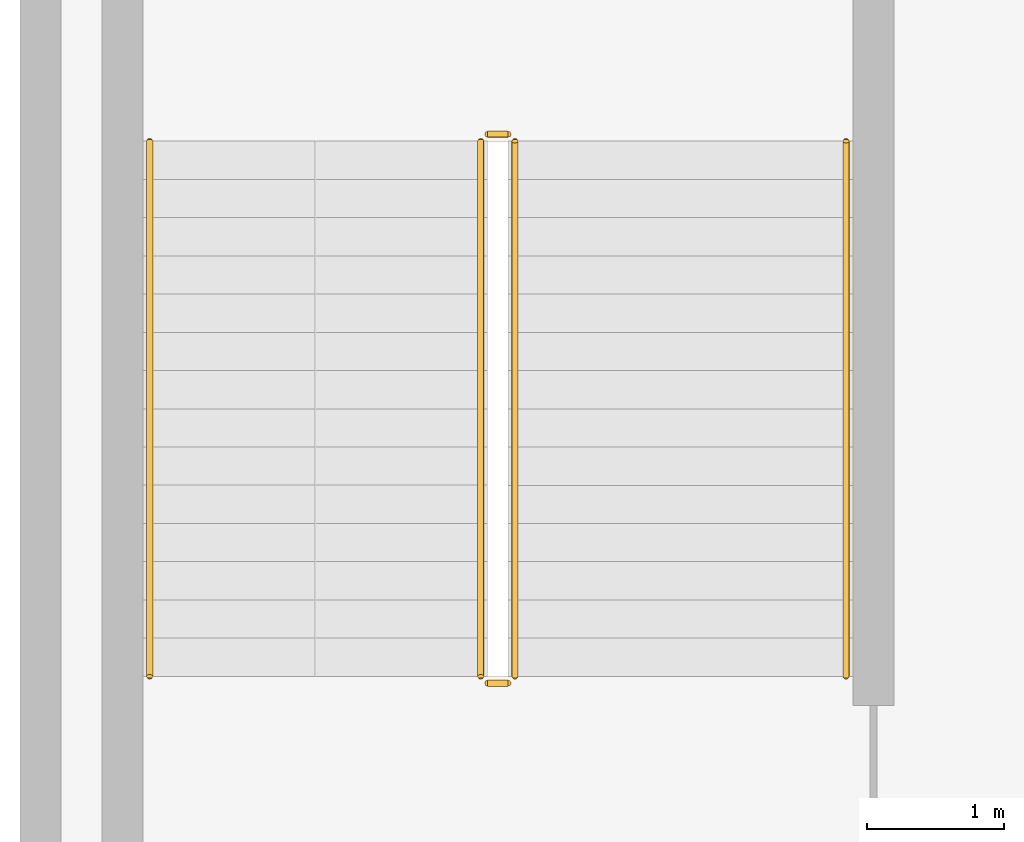
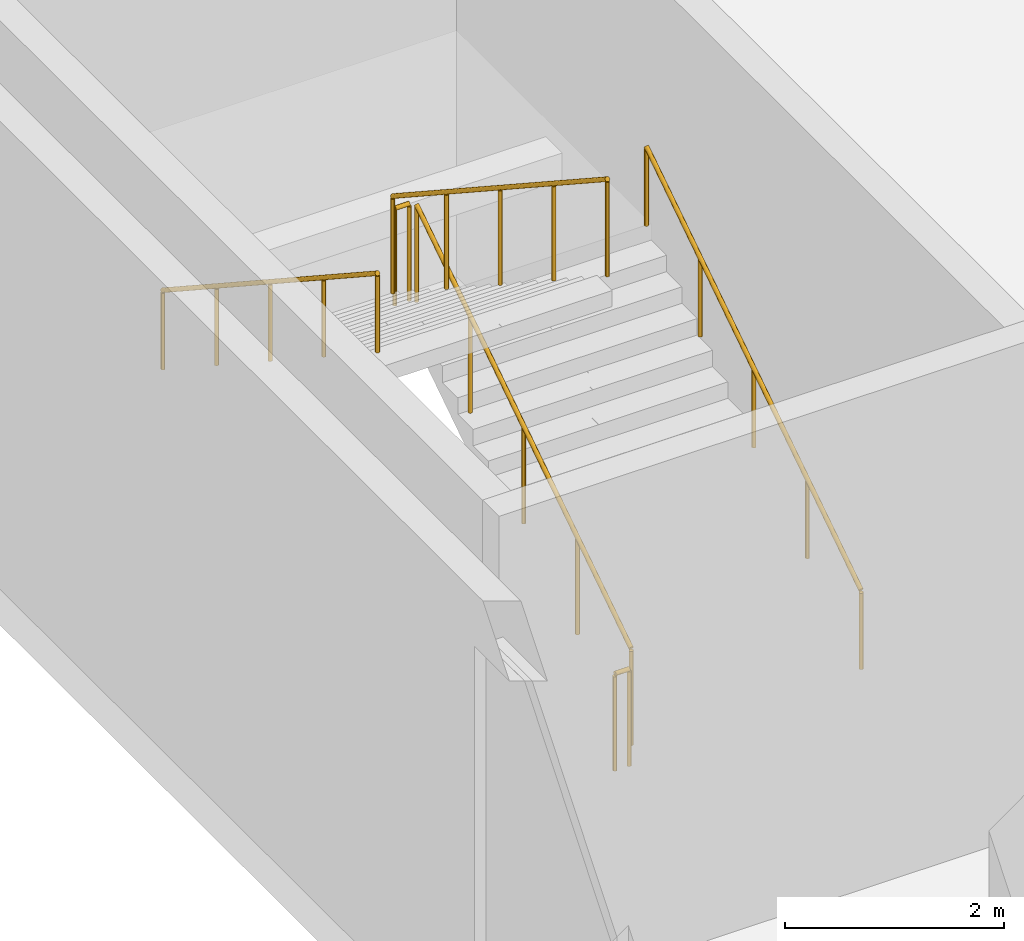
# One storey, part 20 of 26: 6 railings.
"""IFC4 building model written with IfcOpenShell, lengths in metres."""

from ifc_helpers import new_model, si_unit, direction, frame, origin, origin_2d, place, context, subcontext, project, spatial, circle, extrude, material, type_object, element, save


model = new_model("IFC4")

# Units and contexts
model_context = context("Model", 3, precision=1e-05, world=origin(), true_north=direction((0.0, 1.0)))
body_context = subcontext(model_context, "Body", "Model", "MODEL_VIEW")
ifc_project = project(units=[si_unit("LENGTHUNIT", "METRE"), si_unit("AREAUNIT", "SQUARE_METRE"), si_unit("VOLUMEUNIT", "CUBIC_METRE"), si_unit("PLANEANGLEUNIT", "RADIAN"), si_unit("MASSUNIT", "GRAM", prefix="KILO")], contexts=[model_context])

# Site, building, storey
site_placement = place(None, origin())
site = spatial("IfcSite", under=ifc_project, at=site_placement, CompositionType="ELEMENT")
building_placement = place(site_placement, origin())
building = spatial("IfcBuilding", under=site, at=building_placement, Name="Tel Ilan Convention Tower", CompositionType="ELEMENT")
storey_placement = place(building_placement, frame((0.0, 0.0, 37.5)))
storey = spatial("IfcBuildingStorey", under=building, at=storey_placement, Name="L05", CompositionType="ELEMENT", Elevation=37.5)

# Railings
ifc_material_1 = material(Name="Stainless Steel Grade 316", Category="steel")
railing_type_1 = type_object("IfcRailingType", Name="Stainless Steel Stair Guard 1100 mm", PredefinedType="GUARDRAIL", material=ifc_material_1)
railing_1_placement = place(storey_placement, frame((-46.375, -40.47509765625, 0.183349609375)))
element("IfcRailing", 1, at=railing_1_placement, inside=storey, type_object=railing_type_1, Name="L05 P7 stair guard 1", PredefinedType="GUARDRAIL", context=body_context, shape_type="SweptSolid", body=[
    extrude(circle(Radius=0.02392578125, at=origin_2d()), frame((0.0, 0.0, 1.076171875), z_axis=(0.0, 0.836630751959, 0.54776727255), x_axis=(-1.0, 0.0, 0.0)), (0.0, 0.0, 1.0), 4.685546875),
    extrude(circle(Radius=0.02099609375, at=origin_2d()), origin(), (0.0, 0.0, 1.0), 1.052001953125),
    extrude(circle(Radius=0.02099609375, at=origin_2d()), frame((0.0, 0.97998046875, 0.6416015625)), (0.0, 0.0, 1.0), 1.052001953125),
    extrude(circle(Radius=0.02099609375, at=origin_2d()), frame((0.0, 1.9599609375, 1.283203125)), (0.0, 0.0, 1.0), 1.052001953125),
    extrude(circle(Radius=0.02099609375, at=origin_2d()), frame((0.0, 2.940185546875, 1.925048828125)), (0.0, 0.0, 1.0), 1.052001953125),
    extrude(circle(Radius=0.02099609375, at=origin_2d()), frame((0.0, 3.920166015625, 2.566650390625)), (0.0, 0.0, 1.0), 1.052001953125),
])
railing_2_placement = place(storey_placement, frame((-46.425048828125, -36.5048828125, 2.75)))
element("IfcRailing", 2, at=railing_2_placement, inside=storey, type_object=railing_type_1, Name="L05 P7 stair guard 2", PredefinedType="GUARDRAIL", context=body_context, shape_type="SweptSolid", body=[
    extrude(circle(Radius=0.02392578125, at=origin_2d()), frame((0.0, 0.0, 1.076171875), z_axis=(-1.0, 0.0, 0.0), x_axis=(0.0, -1.0, 0.0)), (0.0, 0.0, 1.0), 0.14990234375),
    extrude(circle(Radius=0.02099609375, at=origin_2d()), origin(), (0.0, 0.0, 1.0), 1.052001953125),
    extrude(circle(Radius=0.02099609375, at=origin_2d()), frame((-0.14990234375, 0.0, 0.0)), (0.0, 0.0, 1.0), 1.052001953125),
])
railing_3_placement = place(storey_placement, frame((-46.625, -36.554931640625, 2.933349609375)))
element("IfcRailing", 3, at=railing_3_placement, inside=storey, type_object=railing_type_1, Name="L05 P7 stair guard 3", PredefinedType="GUARDRAIL", context=body_context, shape_type="SweptSolid", body=[
    extrude(circle(Radius=0.02392578125, at=origin_2d()), frame((0.0, 0.0, 1.076171875), z_axis=(0.0, -0.836630751959, 0.54776727255), x_axis=(1.0, 0.0, 0.0)), (0.0, 0.0, 1.0), 4.685546875),
    extrude(circle(Radius=0.02099609375, at=origin_2d()), origin(), (0.0, 0.0, 1.0), 1.052001953125),
    extrude(circle(Radius=0.02099609375, at=origin_2d()), frame((0.0, -0.97998046875, 0.6416015625)), (0.0, 0.0, 1.0), 1.052001953125),
    extrude(circle(Radius=0.02099609375, at=origin_2d()), frame((0.0, -1.9599609375, 1.283203125)), (0.0, 0.0, 1.0), 1.052001953125),
    extrude(circle(Radius=0.02099609375, at=origin_2d()), frame((0.0, -2.940185546875, 1.925048828125)), (0.0, 0.0, 1.0), 1.052001953125),
    extrude(circle(Radius=0.02099609375, at=origin_2d()), frame((0.0, -3.920166015625, 2.566650390625)), (0.0, 0.0, 1.0), 1.052001953125),
])
railing_4_placement = place(storey_placement, frame((-46.425048828125, -40.52490234375, 0.0)))
element("IfcRailing", 4, at=railing_4_placement, inside=storey, type_object=railing_type_1, Name="L05 P7 stair guard 4", PredefinedType="GUARDRAIL", context=body_context, shape_type="SweptSolid", body=[
    extrude(circle(Radius=0.02392578125, at=origin_2d()), frame((0.0, 0.0, 1.076171875), z_axis=(-1.0, 0.0, 0.0), x_axis=(0.0, -1.0, 0.0)), (0.0, 0.0, 1.0), 0.14990234375),
    extrude(circle(Radius=0.02099609375, at=origin_2d()), origin(), (0.0, 0.0, 1.0), 1.052001953125),
    extrude(circle(Radius=0.02099609375, at=origin_2d()), frame((-0.14990234375, 0.0, 0.0)), (0.0, 0.0, 1.0), 1.052001953125),
])
ifc_material_2 = material(Name="Stainless Steel Grade 316", Category="steel")
railing_type_2 = type_object("IfcRailingType", Name="Stainless Steel Stair Handrail 900 mm", PredefinedType="HANDRAIL", material=ifc_material_2)
railing_5_placement = place(storey_placement, frame((-43.949951171875, -40.47509765625, 0.183349609375)))
element("IfcRailing", 5, at=railing_5_placement, inside=storey, type_object=railing_type_2, Name="L05 P7 stair handrail 1", PredefinedType="HANDRAIL", context=body_context, shape_type="SweptSolid", body=[
    extrude(circle(Radius=0.02392578125, at=origin_2d()), frame((0.0, 0.0, 0.8759765625), z_axis=(0.0, 0.836630751959, 0.54776727255), x_axis=(-1.0, 0.0, 0.0)), (0.0, 0.0, 1.0), 4.685546875),
    extrude(circle(Radius=0.02099609375, at=origin_2d()), origin(), (0.0, 0.0, 1.0), 0.851806640625),
    extrude(circle(Radius=0.02099609375, at=origin_2d()), frame((0.0, 0.97998046875, 0.6416015625)), (0.0, 0.0, 1.0), 0.851806640625),
    extrude(circle(Radius=0.02099609375, at=origin_2d()), frame((0.0, 1.9599609375, 1.283203125)), (0.0, 0.0, 1.0), 0.851806640625),
    extrude(circle(Radius=0.02099609375, at=origin_2d()), frame((0.0, 2.940185546875, 1.925048828125)), (0.0, 0.0, 1.0), 0.851806640625),
    extrude(circle(Radius=0.02099609375, at=origin_2d()), frame((0.0, 3.920166015625, 2.566650390625)), (0.0, 0.0, 1.0), 0.851806640625),
])
railing_6_placement = place(storey_placement, frame((-49.050048828125, -36.554931640625, 2.933349609375)))
element("IfcRailing", 6, at=railing_6_placement, inside=storey, type_object=railing_type_2, Name="L05 P7 stair handrail 2", PredefinedType="HANDRAIL", context=body_context, shape_type="SweptSolid", body=[
    extrude(circle(Radius=0.02392578125, at=origin_2d()), frame((0.0, 0.0, 0.8759765625), z_axis=(0.0, -0.836630751959, 0.54776727255), x_axis=(1.0, 0.0, 0.0)), (0.0, 0.0, 1.0), 4.685546875),
    extrude(circle(Radius=0.02099609375, at=origin_2d()), origin(), (0.0, 0.0, 1.0), 0.851806640625),
    extrude(circle(Radius=0.02099609375, at=origin_2d()), frame((0.0, -0.97998046875, 0.6416015625)), (0.0, 0.0, 1.0), 0.851806640625),
    extrude(circle(Radius=0.02099609375, at=origin_2d()), frame((0.0, -1.9599609375, 1.283203125)), (0.0, 0.0, 1.0), 0.851806640625),
    extrude(circle(Radius=0.02099609375, at=origin_2d()), frame((0.0, -2.940185546875, 1.925048828125)), (0.0, 0.0, 1.0), 0.851806640625),
    extrude(circle(Radius=0.02099609375, at=origin_2d()), frame((0.0, -3.920166015625, 2.566650390625)), (0.0, 0.0, 1.0), 0.851806640625),
])

save(model, "model.ifc")
